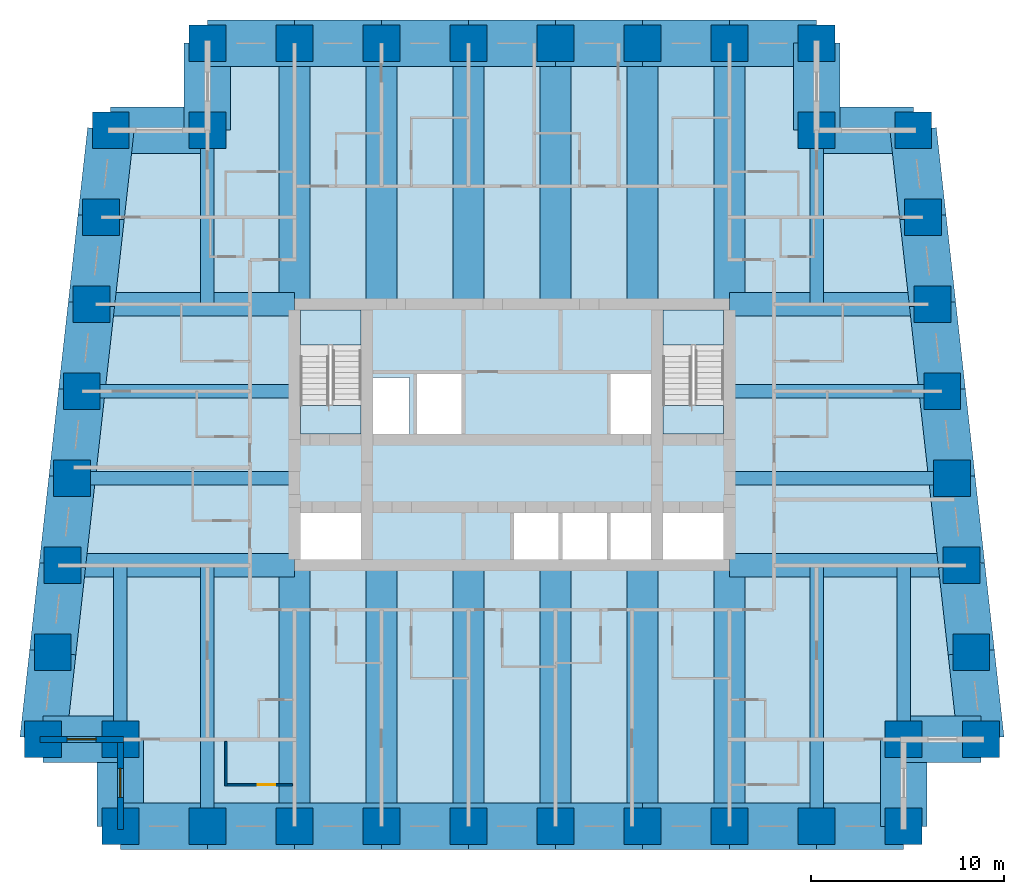
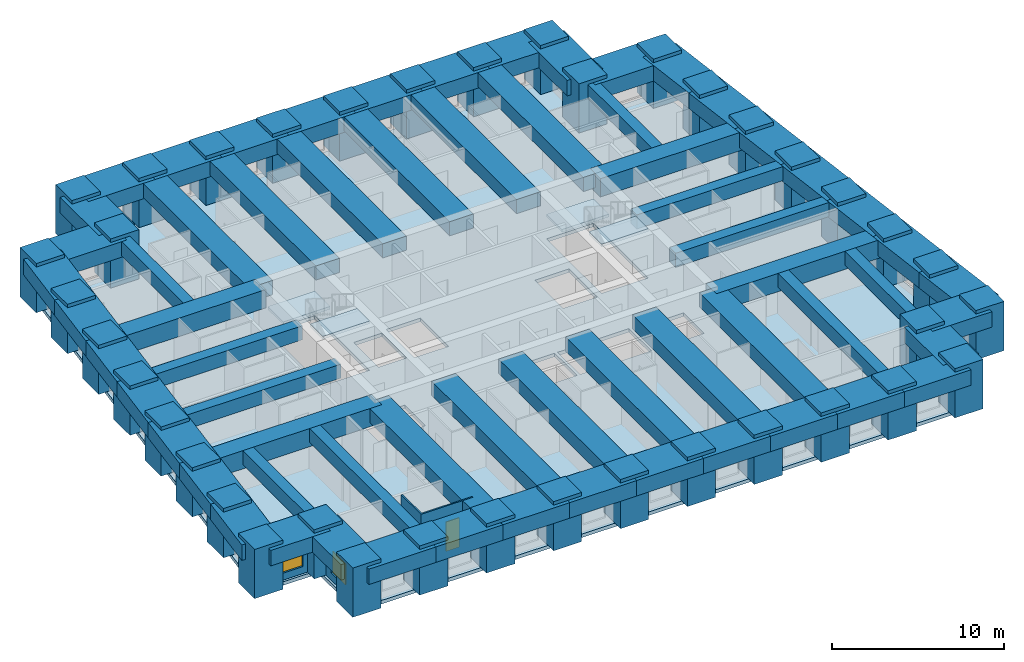
# One storey, part 1 of 8: 64 beams, 38 columns, 5 slabs, 4 walls, 2 windows, 1 door, 3 openings, 2 elements without a shape of their own.
"""IFC4 building model written with IfcOpenShell, lengths in metres."""

from ifc_helpers import new_model, si_unit, direction, frame, frame_2d, origin, origin_2d, place, context, subcontext, project, spatial, polyline, rectangle, outline, extrude, material, layer, layer_set, material_profile, profile_set, type_object, element, fill, aggregate, save


model = new_model("IFC4")

# Units and contexts
model_context = context("Model", 3, precision=1e-05, world=origin(), true_north=direction((0.0, 1.0)))
body_context = subcontext(model_context, "Body", "Model", "MODEL_VIEW")
ifc_project = project(units=[si_unit("LENGTHUNIT", "METRE"), si_unit("AREAUNIT", "SQUARE_METRE"), si_unit("VOLUMEUNIT", "CUBIC_METRE"), si_unit("PLANEANGLEUNIT", "RADIAN"), si_unit("MASSUNIT", "GRAM", prefix="KILO")], contexts=[model_context])

# Site, building, storey
site_placement = place(None, origin())
site = spatial("IfcSite", under=ifc_project, at=site_placement, CompositionType="ELEMENT")
building_placement = place(site_placement, origin())
building = spatial("IfcBuilding", under=site, at=building_placement, Name="Kilele Tower Hotel", CompositionType="ELEMENT")
storey_placement = place(building_placement, frame((0.0, 0.0, 138.89990234375)))
storey = spatial("IfcBuildingStorey", under=building, at=storey_placement, Name="L36", CompositionType="ELEMENT", Elevation=138.89990234375)

# Columns
ifc_material_1 = material(Name="Concrete C70/85", Category="concrete")
ifc_material_profile_1 = material_profile(ifc_material_1, rectangle(XDim=1.89990234375, YDim=1.89990234375, at=origin_2d()))
ifc_profile_set_1 = profile_set([ifc_material_profile_1], Name="Concrete C70/85")
column_type = type_object("IfcColumnType", Name="Tube column RC 1900x1900 C70/85", PredefinedType="COLUMN", material=ifc_profile_set_1)
for number, where, z_axis, x_axis, name in (
    (1, (0.5, 4.5, 0.0), (0.0, 0.0, 1.0), (1.0, 0.0, 0.0), "Column TC2 L36"),
    (2, (4.5, 4.5, 0.0), (0.0, 0.0, 1.0), (1.0, 0.0, 0.0), "Column TC2 L36"),
    (3, (4.5, 0.0, 0.0), (0.0, 0.0, 1.0), (1.0, 0.0, 0.0), "Column TC2 L36"),
    (4, (9.0, 0.0, 0.0), (0.0, 0.0, 1.0), (1.0, 0.0, 0.0), "Column TC2 L36"),
    (5, (13.5, 0.0, 0.0), (0.0, 0.0, 1.0), (1.0, 0.0, 0.0), "Column TC2 L36"),
    (6, (18.0, 0.0, 0.0), (0.0, 0.0, 1.0), (1.0, 0.0, 0.0), "Column TC2 L36"),
    (7, (22.5, 0.0, 0.0), (0.0, 0.0, 1.0), (1.0, 0.0, 0.0), "Column TC2 L36"),
    (8, (27.0, 0.0, 0.0), (0.0, 0.0, 1.0), (1.0, 0.0, 0.0), "Column TC2 L36"),
    (9, (31.5, 0.0, 0.0), (0.0, 0.0, 1.0), (1.0, 0.0, 0.0), "Column TC2 L36"),
    (10, (36.0, 0.0, 0.0), (0.0, 0.0, 1.0), (1.0, 0.0, 0.0), "Column TC2 L36"),
    (11, (40.5, 0.0, 0.0), (0.0, 0.0, 1.0), (1.0, 0.0, 0.0), "Column TC2 L36"),
    (12, (45.0, 0.0, 0.0), (0.0, 0.0, 1.0), (1.0, 0.0, 0.0), "Column TC2 L36"),
    (13, (45.0, 4.5, 0.0), (0.0, 0.0, 1.0), (1.0, 0.0, 0.0), "Column TC2 L36"),
    (14, (49.0, 4.5, 0.0), (0.0, 0.0, 1.0), (1.0, 0.0, 0.0), "Column TC2 L36"),
    (15, (48.5, 9.0, 0.0), (0.0, 0.0, 1.0), (1.0, 0.0, 0.0), "Column TC2 L36"),
    (16, (48.0, 13.5, 0.0), (0.0, 0.0, 1.0), (1.0, 0.0, 0.0), "Column TC2 L36"),
    (17, (47.5, 18.0, 0.0), (0.0, 0.0, 1.0), (1.0, 0.0, 0.0), "Column TC2 L36"),
    (18, (47.0, 22.5, 0.0), (0.0, 0.0, 1.0), (1.0, 0.0, 0.0), "Column TC2 L36"),
    (19, (46.5, 27.0, 0.0), (0.0, 0.0, 1.0), (1.0, 0.0, 0.0), "Column TC2 L36"),
    (20, (46.0, 31.5, 0.0), (0.0, 0.0, 1.0), (1.0, 0.0, 0.0), "Column TC2 L36"),
    (21, (45.5, 36.0, 0.0), (0.0, 0.0, 1.0), (1.0, 0.0, 0.0), "Column TC2 L36"),
    (22, (40.5, 36.0, 0.0), (0.0, 0.0, 1.0), (1.0, 0.0, 0.0), "Column TC2 L36"),
    (23, (40.5, 40.5, 0.0), (0.0, 0.0, 1.0), (1.0, 0.0, 0.0), "Column TC2 L36"),
    (24, (36.0, 40.5, 0.0), (0.0, 0.0, 1.0), (1.0, 0.0, 0.0), "Column TC2 L36"),
    (25, (31.5, 40.5, 0.0), (0.0, 0.0, 1.0), (1.0, 0.0, 0.0), "Column TC2 L36"),
    (26, (27.0, 40.5, 0.0), (0.0, 0.0, 1.0), (1.0, 0.0, 0.0), "Column TC2 L36"),
    (27, (22.5, 40.5, 0.0), (0.0, 0.0, 1.0), (1.0, 0.0, 0.0), "Column TC2 L36"),
    (28, (18.0, 40.5, 0.0), (0.0, 0.0, 1.0), (1.0, 0.0, 0.0), "Column TC2 L36"),
    (29, (13.5, 40.5, 0.0), (0.0, 0.0, 1.0), (1.0, 0.0, 0.0), "Column TC2 L36"),
    (30, (9.0, 40.5, 0.0), (0.0, 0.0, 1.0), (1.0, 0.0, 0.0), "Column TC2 L36"),
    (31, (9.0, 36.0, 0.0), (0.0, 0.0, 1.0), (1.0, 0.0, 0.0), "Column TC2 L36"),
    (32, (4.0, 36.0, 0.0), (0.0, 0.0, 1.0), (1.0, 0.0, 0.0), "Column TC2 L36"),
    (33, (3.5, 31.5, 0.0), (0.0, 0.0, 1.0), (1.0, 0.0, 0.0), "Column TC2 L36"),
    (34, (3.0, 27.0, 0.0), (0.0, 0.0, 1.0), (1.0, 0.0, 0.0), "Column TC2 L36"),
    (35, (2.5, 22.5, 0.0), (0.0, 0.0, 1.0), (1.0, 0.0, 0.0), "Column TC2 L36"),
    (36, (2.0, 18.0, 0.0), (0.0, 0.0, 1.0), (1.0, 0.0, 0.0), "Column TC2 L36"),
    (37, (1.5, 13.5, 0.0), (0.0, 0.0, 1.0), (1.0, 0.0, 0.0), "Column TC2 L36"),
    (38, (1.0, 9.0, 0.0), (0.0, 0.0, 1.0), (1.0, 0.0, 0.0), "Column TC2 L36"),
):
    element("IfcColumn", number, at=place(storey_placement, frame(where, z_axis=z_axis, x_axis=x_axis)), inside=storey, type_object=column_type, Name=name, PredefinedType="COLUMN", context=body_context, shape_type="SweptSolid", body=[
        extrude(rectangle(XDim=1.89990234375, YDim=1.89990234375, at=origin_2d()), origin(), (0.0, 0.0, 1.0), 3.5),
    ])

# Beams
ifc_material_2 = material(Name="Concrete C60/75", Category="concrete")
ifc_material_profile_2 = material_profile(ifc_material_2, rectangle(XDim=1.60009765625, YDim=1.0, at=origin_2d()))
ifc_profile_set_2 = profile_set([ifc_material_profile_2], Name="Concrete C60/75")
beam_type_1 = type_object("IfcBeamType", Name="Beam RC 1600x1000 C60/75", PredefinedType="BEAM", material=ifc_profile_set_2)
for number, where, z_axis, x_axis, name in (
    (39, (13.5, 0.0, 2.75), (0.0, 1.0, 0.0), (-1.0, 0.0, 0.0), "Beam BC1 level L37"),
    (40, (18.0, 0.0, 2.75), (0.0, 1.0, 0.0), (-1.0, 0.0, 0.0), "Beam BC1 level L37"),
    (41, (22.5, 0.0, 2.75), (0.0, 1.0, 0.0), (-1.0, 0.0, 0.0), "Beam BC1 level L37"),
    (42, (27.0, 0.0, 2.75), (0.0, 1.0, 0.0), (-1.0, 0.0, 0.0), "Beam BC1 level L37"),
    (43, (31.5, 0.0, 2.75), (0.0, 1.0, 0.0), (-1.0, 0.0, 0.0), "Beam BC1 level L37"),
    (44, (36.0, 0.0, 2.75), (0.0, 1.0, 0.0), (-1.0, 0.0, 0.0), "Beam BC1 level L37"),
    (45, (36.0, 40.5, 2.75), (0.0, -1.0, 0.0), (1.0, 0.0, 0.0), "Beam BC1 level L37"),
    (46, (31.5, 40.5, 2.75), (0.0, -1.0, 0.0), (1.0, 0.0, 0.0), "Beam BC1 level L37"),
    (47, (27.0, 40.5, 2.75), (0.0, -1.0, 0.0), (1.0, 0.0, 0.0), "Beam BC1 level L37"),
    (48, (22.5, 40.5, 2.75), (0.0, -1.0, 0.0), (1.0, 0.0, 0.0), "Beam BC1 level L37"),
    (49, (18.0, 40.5, 2.75), (0.0, -1.0, 0.0), (1.0, 0.0, 0.0), "Beam BC1 level L37"),
    (50, (13.5, 40.5, 2.75), (0.0, -1.0, 0.0), (1.0, 0.0, 0.0), "Beam BC1 level L37"),
):
    element("IfcBeam", number, at=place(storey_placement, frame(where, z_axis=z_axis, x_axis=x_axis)), inside=storey, type_object=beam_type_1, Name=name, PredefinedType="BEAM", context=body_context, shape_type="SweptSolid", body=[
        extrude(rectangle(XDim=1.60009765625, YDim=1.0, at=origin_2d()), origin(), (0.0, 0.0, 1.0), 13.5),
    ])
ifc_material_3 = material(Name="Concrete C60/75", Category="concrete")
ifc_material_profile_3 = material_profile(ifc_material_3, rectangle(XDim=0.699951171875, YDim=1.0, at=origin_2d()))
ifc_profile_set_3 = profile_set([ifc_material_profile_3], Name="Concrete C60/75")
beam_type_2 = type_object("IfcBeamType", Name="Beam RC 700x1000 C60/75", PredefinedType="BEAM", material=ifc_profile_set_3)
for number, where, z_axis, x_axis, name in (
    (51, (9.0, 0.0, 2.75), (0.0, 1.0, 0.0), (-1.0, 0.0, 0.0), "Beam B4 level L37"),
    (52, (40.5, 0.0, 2.75), (0.0, 1.0, 0.0), (-1.0, 0.0, 0.0), "Beam B4 level L37"),
):
    element("IfcBeam", number, at=place(storey_placement, frame(where, z_axis=z_axis, x_axis=x_axis)), inside=storey, type_object=beam_type_2, Name=name, PredefinedType="BEAM", context=body_context, shape_type="SweptSolid", body=[
        extrude(rectangle(XDim=0.699951171875, YDim=1.0, at=origin_2d()), origin(), (0.0, 0.0, 1.0), 13.5),
    ])
ifc_material_4 = material(Name="Concrete C60/75", Category="concrete")
ifc_material_profile_4 = material_profile(ifc_material_4, rectangle(XDim=0.699951171875, YDim=1.0, at=origin_2d()))
ifc_profile_set_4 = profile_set([ifc_material_profile_4], Name="Concrete C60/75")
beam_type_3 = type_object("IfcBeamType", Name="Beam RC 700x1000 C60/75 mid span", PredefinedType="BEAM", material=ifc_profile_set_4)
for number, where, z_axis, x_axis, name in (
    (53, (4.5, 4.5, 2.75), (0.0, 1.0, 0.0), (-1.0, 0.0, 0.0), "Beam B5 level L37"),
    (54, (45.0, 4.5, 2.75), (0.0, 1.0, 0.0), (-1.0, 0.0, 0.0), "Beam B5 level L37"),
):
    element("IfcBeam", number, at=place(storey_placement, frame(where, z_axis=z_axis, x_axis=x_axis)), inside=storey, type_object=beam_type_3, Name=name, PredefinedType="BEAM", context=body_context, shape_type="SweptSolid", body=[
        extrude(rectangle(XDim=0.699951171875, YDim=1.0, at=origin_2d()), origin(), (0.0, 0.0, 1.0), 9.0),
    ])
beam_1_placement = place(storey_placement, frame((47.5, 18.0, 2.75), z_axis=(-1.0, 0.0, 0.0), x_axis=(0.0, -1.0, 0.0)))
element("IfcBeam", 55, at=beam_1_placement, inside=storey, type_object=beam_type_3, Name="Beam B5 level L37", PredefinedType="BEAM", context=body_context, shape_type="SweptSolid", body=[
    extrude(rectangle(XDim=0.699951171875, YDim=1.0, at=origin_2d()), origin(), (0.0, 0.0, 1.0), 11.5),
])
beam_2_placement = place(storey_placement, frame((47.0, 22.5, 2.75), z_axis=(-1.0, 0.0, 0.0), x_axis=(0.0, -1.0, 0.0)))
element("IfcBeam", 56, at=beam_2_placement, inside=storey, type_object=beam_type_3, Name="Beam B5 level L37", PredefinedType="BEAM", context=body_context, shape_type="SweptSolid", body=[
    extrude(rectangle(XDim=0.699951171875, YDim=1.0, at=origin_2d()), origin(), (0.0, 0.0, 1.0), 11.0),
])
for number, where, z_axis, x_axis, name in (
    (57, (40.5, 36.0, 2.75), (0.0, -1.0, 0.0), (1.0, 0.0, 0.0), "Beam B5 level L37"),
    (58, (9.0, 36.0, 2.75), (0.0, -1.0, 0.0), (1.0, 0.0, 0.0), "Beam B5 level L37"),
):
    element("IfcBeam", number, at=place(storey_placement, frame(where, z_axis=z_axis, x_axis=x_axis)), inside=storey, type_object=beam_type_3, Name=name, PredefinedType="BEAM", context=body_context, shape_type="SweptSolid", body=[
        extrude(rectangle(XDim=0.699951171875, YDim=1.0, at=origin_2d()), origin(), (0.0, 0.0, 1.0), 9.0),
    ])
beam_3_placement = place(storey_placement, frame((2.5, 22.5, 2.75), z_axis=(1.0, 0.0, 0.0), x_axis=(0.0, 1.0, 0.0)))
element("IfcBeam", 59, at=beam_3_placement, inside=storey, type_object=beam_type_3, Name="Beam B5 level L37", PredefinedType="BEAM", context=body_context, shape_type="SweptSolid", body=[
    extrude(rectangle(XDim=0.699951171875, YDim=1.0, at=origin_2d()), origin(), (0.0, 0.0, 1.0), 11.0),
])
beam_4_placement = place(storey_placement, frame((2.0, 18.0, 2.75), z_axis=(1.0, 0.0, 0.0), x_axis=(0.0, 1.0, 0.0)))
element("IfcBeam", 60, at=beam_4_placement, inside=storey, type_object=beam_type_3, Name="Beam B5 level L37", PredefinedType="BEAM", context=body_context, shape_type="SweptSolid", body=[
    extrude(rectangle(XDim=0.699951171875, YDim=1.0, at=origin_2d()), origin(), (0.0, 0.0, 1.0), 11.5),
])
ifc_material_5 = material(Name="Concrete C60/75", Category="concrete")
ifc_material_profile_5 = material_profile(ifc_material_5, rectangle(XDim=1.199951171875, YDim=1.300048828125, at=origin_2d()))
ifc_profile_set_5 = profile_set([ifc_material_profile_5], Name="Concrete C60/75")
beam_type_4 = type_object("IfcBeamType", Name="Girder RC 1200x1300 C60/75", PredefinedType="BEAM", material=ifc_profile_set_5)
for number, where, z_axis, x_axis, name in (
    (61, (48.0, 13.5, 2.60009765625), (-1.0, 0.0, 0.0), (0.0, -1.0, 0.0), "Girder G1 level L37"),
    (62, (1.5, 13.5, 2.60009765625), (1.0, 0.0, 0.0), (0.0, 1.0, 0.0), "Girder G1 level L37"),
):
    element("IfcBeam", number, at=place(storey_placement, frame(where, z_axis=z_axis, x_axis=x_axis)), inside=storey, type_object=beam_type_4, Name=name, PredefinedType="BEAM", context=body_context, shape_type="SweptSolid", body=[
        extrude(rectangle(XDim=1.199951171875, YDim=1.300048828125, at=origin_2d()), origin(), (0.0, 0.0, 1.0), 12.0),
    ])
ifc_material_6 = material(Name="Concrete C60/75", Category="concrete")
ifc_material_profile_6 = material_profile(ifc_material_6, rectangle(XDim=1.199951171875, YDim=1.300048828125, at=origin_2d()))
ifc_profile_set_6 = profile_set([ifc_material_profile_6], Name="Concrete C60/75")
beam_type_5 = type_object("IfcBeamType", Name="Girder RC 1200x1300 C60/75 mid span", PredefinedType="BEAM", material=ifc_profile_set_6)
for number, where, z_axis, x_axis, name in (
    (63, (46.5, 27.0, 2.60009765625), (-1.0, 0.0, 0.0), (0.0, -1.0, 0.0), "Girder G3 level L37"),
    (64, (3.0, 27.0, 2.60009765625), (1.0, 0.0, 0.0), (0.0, 1.0, 0.0), "Girder G3 level L37"),
):
    element("IfcBeam", number, at=place(storey_placement, frame(where, z_axis=z_axis, x_axis=x_axis)), inside=storey, type_object=beam_type_5, Name=name, PredefinedType="BEAM", context=body_context, shape_type="SweptSolid", body=[
        extrude(rectangle(XDim=1.199951171875, YDim=1.300048828125, at=origin_2d()), origin(), (0.0, 0.0, 1.0), 10.5),
    ])
ifc_material_7 = material(Name="Concrete C60/75", Category="concrete")
ifc_material_profile_7 = material_profile(ifc_material_7, rectangle(XDim=2.39990234375, YDim=1.10009765625, at=origin_2d()))
ifc_profile_set_7 = profile_set([ifc_material_profile_7], Name="Concrete C60/75")
beam_type_6 = type_object("IfcBeamType", Name="Spandrel RC 2400x1100 C60/75", PredefinedType="SPANDREL", material=ifc_profile_set_7)
beam_5_placement = place(storey_placement, frame((0.5, 4.5, 2.7001953125), z_axis=(1.0, 0.0, 0.0), x_axis=(0.0, 1.0, 0.0)))
element("IfcBeam", 65, at=beam_5_placement, inside=storey, type_object=beam_type_6, Name="Spandrel SP7 level L37", PredefinedType="SPANDREL", context=body_context, shape_type="SweptSolid", body=[
    extrude(rectangle(XDim=2.39990234375, YDim=1.10009765625, at=origin_2d()), origin(), (0.0, 0.0, 1.0), 4.0),
])
for number, where, z_axis, x_axis, name in (
    (66, (4.5, 4.5, 2.7001953125), (0.0, -1.0, 0.0), (1.0, 0.0, 0.0), "Spandrel SP7 level L37"),
    (67, (4.5, 0.0, 2.7001953125), (1.0, 0.0, 0.0), (0.0, 1.0, 0.0), "Spandrel SP7 level L37"),
    (68, (9.0, 0.0, 2.7001953125), (1.0, 0.0, 0.0), (0.0, 1.0, 0.0), "Spandrel SP7 level L37"),
    (69, (13.5, 0.0, 2.7001953125), (1.0, 0.0, 0.0), (0.0, 1.0, 0.0), "Spandrel SP7 level L37"),
    (70, (18.0, 0.0, 2.7001953125), (1.0, 0.0, 0.0), (0.0, 1.0, 0.0), "Spandrel SP7 level L37"),
    (71, (22.5, 0.0, 2.7001953125), (1.0, 0.0, 0.0), (0.0, 1.0, 0.0), "Spandrel SP7 level L37"),
    (72, (27.0, 0.0, 2.7001953125), (1.0, 0.0, 0.0), (0.0, 1.0, 0.0), "Spandrel SP7 level L37"),
    (73, (31.5, 0.0, 2.7001953125), (1.0, 0.0, 0.0), (0.0, 1.0, 0.0), "Spandrel SP7 level L37"),
    (74, (36.0, 0.0, 2.7001953125), (1.0, 0.0, 0.0), (0.0, 1.0, 0.0), "Spandrel SP7 level L37"),
    (75, (40.5, 0.0, 2.7001953125), (1.0, 0.0, 0.0), (0.0, 1.0, 0.0), "Spandrel SP7 level L37"),
    (76, (45.0, 0.0, 2.7001953125), (0.0, 1.0, 0.0), (-1.0, 0.0, 0.0), "Spandrel SP7 level L37"),
):
    element("IfcBeam", number, at=place(storey_placement, frame(where, z_axis=z_axis, x_axis=x_axis)), inside=storey, type_object=beam_type_6, Name=name, PredefinedType="SPANDREL", context=body_context, shape_type="SweptSolid", body=[
        extrude(rectangle(XDim=2.39990234375, YDim=1.10009765625, at=origin_2d()), origin(), (0.0, 0.0, 1.0), 4.5),
    ])
beam_6_placement = place(storey_placement, frame((45.0, 4.5, 2.7001953125), z_axis=(1.0, 0.0, 0.0), x_axis=(0.0, 1.0, 0.0)))
element("IfcBeam", 77, at=beam_6_placement, inside=storey, type_object=beam_type_6, Name="Spandrel SP7 level L37", PredefinedType="SPANDREL", context=body_context, shape_type="SweptSolid", body=[
    extrude(rectangle(XDim=2.39990234375, YDim=1.10009765625, at=origin_2d()), origin(), (0.0, 0.0, 1.0), 4.0),
])
for number, where, z_axis, x_axis, name in (
    (78, (49.0, 4.5, 2.7001953125), (-0.110431526075, 0.993883734674, 0.0), (-0.993883734674, -0.110431526075, 0.0), "Spandrel SP7 level L37"),
    (79, (48.5, 9.0, 2.7001953125), (-0.110431526075, 0.993883734674, 0.0), (-0.993883734674, -0.110431526075, 0.0), "Spandrel SP7 level L37"),
    (80, (48.0, 13.5, 2.7001953125), (-0.110431526075, 0.993883734674, 0.0), (-0.993883734674, -0.110431526075, 0.0), "Spandrel SP7 level L37"),
    (81, (47.5, 18.0, 2.7001953125), (-0.110431526075, 0.993883734674, 0.0), (-0.993883734674, -0.110431526075, 0.0), "Spandrel SP7 level L37"),
    (82, (47.0, 22.5, 2.7001953125), (-0.110431526075, 0.993883734674, 0.0), (-0.993883734674, -0.110431526075, 0.0), "Spandrel SP7 level L37"),
    (83, (46.5, 27.0, 2.7001953125), (-0.110431526075, 0.993883734674, 0.0), (-0.993883734674, -0.110431526075, 0.0), "Spandrel SP7 level L37"),
    (84, (46.0, 31.5, 2.7001953125), (-0.110431526075, 0.993883734674, 0.0), (-0.993883734674, -0.110431526075, 0.0), "Spandrel SP7 level L37"),
):
    element("IfcBeam", number, at=place(storey_placement, frame(where, z_axis=z_axis, x_axis=x_axis)), inside=storey, type_object=beam_type_6, Name=name, PredefinedType="SPANDREL", context=body_context, shape_type="SweptSolid", body=[
        extrude(rectangle(XDim=2.39990234375, YDim=1.10009765625, at=origin_2d()), origin(), (0.0, 0.0, 1.0), 4.527587890625),
    ])
beam_7_placement = place(storey_placement, frame((45.5, 36.0, 2.7001953125), z_axis=(-1.0, 0.0, 0.0), x_axis=(0.0, -1.0, 0.0)))
element("IfcBeam", 85, at=beam_7_placement, inside=storey, type_object=beam_type_6, Name="Spandrel SP7 level L37", PredefinedType="SPANDREL", context=body_context, shape_type="SweptSolid", body=[
    extrude(rectangle(XDim=2.39990234375, YDim=1.10009765625, at=origin_2d()), origin(), (0.0, 0.0, 1.0), 5.0),
])
for number, where, z_axis, x_axis, name in (
    (86, (40.5, 36.0, 2.7001953125), (0.0, 1.0, 0.0), (-1.0, 0.0, 0.0), "Spandrel SP7 level L37"),
    (87, (40.5, 40.5, 2.7001953125), (-1.0, 0.0, 0.0), (0.0, -1.0, 0.0), "Spandrel SP7 level L37"),
    (88, (36.0, 40.5, 2.7001953125), (-1.0, 0.0, 0.0), (0.0, -1.0, 0.0), "Spandrel SP7 level L37"),
    (89, (31.5, 40.5, 2.7001953125), (-1.0, 0.0, 0.0), (0.0, -1.0, 0.0), "Spandrel SP7 level L37"),
    (90, (27.0, 40.5, 2.7001953125), (-1.0, 0.0, 0.0), (0.0, -1.0, 0.0), "Spandrel SP7 level L37"),
    (91, (22.5, 40.5, 2.7001953125), (-1.0, 0.0, 0.0), (0.0, -1.0, 0.0), "Spandrel SP7 level L37"),
    (92, (18.0, 40.5, 2.7001953125), (-1.0, 0.0, 0.0), (0.0, -1.0, 0.0), "Spandrel SP7 level L37"),
    (93, (13.5, 40.5, 2.7001953125), (-1.0, 0.0, 0.0), (0.0, -1.0, 0.0), "Spandrel SP7 level L37"),
    (94, (9.0, 40.5, 2.7001953125), (0.0, -1.0, 0.0), (1.0, 0.0, 0.0), "Spandrel SP7 level L37"),
):
    element("IfcBeam", number, at=place(storey_placement, frame(where, z_axis=z_axis, x_axis=x_axis)), inside=storey, type_object=beam_type_6, Name=name, PredefinedType="SPANDREL", context=body_context, shape_type="SweptSolid", body=[
        extrude(rectangle(XDim=2.39990234375, YDim=1.10009765625, at=origin_2d()), origin(), (0.0, 0.0, 1.0), 4.5),
    ])
beam_8_placement = place(storey_placement, frame((9.0, 36.0, 2.7001953125), z_axis=(-1.0, 0.0, 0.0), x_axis=(0.0, -1.0, 0.0)))
element("IfcBeam", 95, at=beam_8_placement, inside=storey, type_object=beam_type_6, Name="Spandrel SP7 level L37", PredefinedType="SPANDREL", context=body_context, shape_type="SweptSolid", body=[
    extrude(rectangle(XDim=2.39990234375, YDim=1.10009765625, at=origin_2d()), origin(), (0.0, 0.0, 1.0), 5.0),
])
for number, where, z_axis, x_axis, name in (
    (96, (4.0, 36.0, 2.7001953125), (-0.110431526075, -0.993883734674, 0.0), (0.993883734674, -0.110431526075, 0.0), "Spandrel SP7 level L37"),
    (97, (3.5, 31.5, 2.7001953125), (-0.110431526075, -0.993883734674, 0.0), (0.993883734674, -0.110431526075, 0.0), "Spandrel SP7 level L37"),
    (98, (3.0, 27.0, 2.7001953125), (-0.110431526075, -0.993883734674, 0.0), (0.993883734674, -0.110431526075, 0.0), "Spandrel SP7 level L37"),
    (99, (2.5, 22.5, 2.7001953125), (-0.110431526075, -0.993883734674, 0.0), (0.993883734674, -0.110431526075, 0.0), "Spandrel SP7 level L37"),
    (100, (2.0, 18.0, 2.7001953125), (-0.110431526075, -0.993883734674, 0.0), (0.993883734674, -0.110431526075, 0.0), "Spandrel SP7 level L37"),
    (101, (1.5, 13.5, 2.7001953125), (-0.110431526075, -0.993883734674, 0.0), (0.993883734674, -0.110431526075, 0.0), "Spandrel SP7 level L37"),
    (102, (1.0, 9.0, 2.7001953125), (-0.110431526075, -0.993883734674, 0.0), (0.993883734674, -0.110431526075, 0.0), "Spandrel SP7 level L37"),
):
    element("IfcBeam", number, at=place(storey_placement, frame(where, z_axis=z_axis, x_axis=x_axis)), inside=storey, type_object=beam_type_6, Name=name, PredefinedType="SPANDREL", context=body_context, shape_type="SweptSolid", body=[
        extrude(rectangle(XDim=2.39990234375, YDim=1.10009765625, at=origin_2d()), origin(), (0.0, 0.0, 1.0), 4.527587890625),
    ])

# Slab
ifc_material_8 = material(Name="Concrete C60/75", Category="concrete")
ifc_layer_1 = layer(ifc_material_8, 0.25)
ifc_layer_set_1 = layer_set([ifc_layer_1], Name="Concrete C60/75")
slab_type_1 = type_object("IfcSlabType", Name="Floor slab 250", PredefinedType="FLOOR", material=ifc_layer_set_1)
slab_1_placement = place(storey_placement, frame((0.0, 0.0, -0.25)))
element("IfcSlab", 103, at=slab_1_placement, inside=storey, type_object=slab_type_1, Name="Floor slab L36", PredefinedType="FLOOR", context=body_context, shape_type="SweptSolid", body=[
    extrude(outline(polyline([(8.699951171875, 36.300048828125), (8.699951171875, 40.800048828125), (40.800048828125, 40.800048828125), (40.800048828125, 36.300048828125), (45.7685546875, 36.300048828125), (49.335205078125, 4.199951171875), (45.300048828125, 4.199951171875), (45.300048828125, -0.300048828125), (4.199951171875, -0.300048828125), (4.199951171875, 4.199951171875), (0.164794921875, 4.199951171875), (3.7314453125, 36.300048828125), (8.699951171875, 36.300048828125)]), holes=[polyline([(16.949951171875, 16.199951171875), (13.800048828125, 16.199951171875), (13.800048828125, 13.800048828125), (16.949951171875, 13.800048828125), (16.949951171875, 16.199951171875)]), polyline([(35.699951171875, 16.199951171875), (32.550048828125, 16.199951171875), (32.550048828125, 13.800048828125), (35.699951171875, 13.800048828125), (35.699951171875, 16.199951171875)]), polyline([(27.14990234375, 16.39990234375), (24.85009765625, 16.39990234375), (24.85009765625, 13.800048828125), (27.14990234375, 13.800048828125), (27.14990234375, 16.39990234375)]), polyline([(29.64990234375, 13.800048828125), (29.64990234375, 16.39990234375), (27.35009765625, 16.39990234375), (27.35009765625, 13.800048828125), (29.64990234375, 13.800048828125)]), polyline([(32.14990234375, 13.800048828125), (32.14990234375, 16.39990234375), (29.85009765625, 16.39990234375), (29.85009765625, 13.800048828125), (32.14990234375, 13.800048828125)]), polyline([(19.449951171875, 23.199951171875), (17.550048828125, 23.199951171875), (17.550048828125, 20.300048828125), (19.449951171875, 20.300048828125), (19.449951171875, 23.199951171875)]), polyline([(22.14990234375, 23.39990234375), (19.85009765625, 23.39990234375), (19.85009765625, 20.10009765625), (22.14990234375, 20.10009765625), (22.14990234375, 23.39990234375)]), polyline([(32.14990234375, 23.39990234375), (29.85009765625, 23.39990234375), (29.85009765625, 20.10009765625), (32.14990234375, 20.10009765625), (32.14990234375, 23.39990234375)]), polyline([(16.949951171875, 20.300048828125), (16.949951171875, 26.699951171875), (13.800048828125, 26.699951171875), (13.800048828125, 20.300048828125), (16.949951171875, 20.300048828125)]), polyline([(35.699951171875, 20.300048828125), (35.699951171875, 26.699951171875), (32.550048828125, 26.699951171875), (32.550048828125, 20.300048828125), (35.699951171875, 20.300048828125)])]), origin(), (0.0, 0.0, 1.0), 0.25),
])

# Stair, slabs
ifc_material_9 = material(Name="Precast concrete C40/50", Category="concrete")
stair_type = type_object("IfcStairType", Name="Stair 1475 x 3500", PredefinedType="HALF_TURN_STAIR", material=ifc_material_9)
stair_1_placement = place(storey_placement, origin())
stair_1 = element("IfcStair", 104, at=stair_1_placement, inside=storey, type_object=stair_type, Name="Stair 1 L36", PredefinedType="HALF_TURN_STAIR")
ifc_material_10 = material(Name="Precast concrete C40/50", Category="concrete")
ifc_layer_2 = layer(ifc_material_10, 0.199951171875)
ifc_layer_set_2 = layer_set([ifc_layer_2], Name="Precast concrete C40/50")
slab_type_2 = type_object("IfcSlabType", Name="Stair landing 200", PredefinedType="LANDING", material=ifc_layer_set_2)
slab_2_placement = place(storey_placement, frame((0.0, 0.0, 1.550048828125)))
slab_2 = element("IfcSlab", 105, at=slab_2_placement, type_object=slab_type_2, Name="ST1 landing 1", PredefinedType="LANDING", context=body_context, shape_type="SweptSolid", body=[
    extrude(outline(polyline([(13.800048828125, 24.89501953125), (16.949951171875, 24.89501953125), (16.949951171875, 26.699951171875), (13.800048828125, 26.699951171875), (13.800048828125, 24.89501953125)])), origin(), (0.0, 0.0, 1.0), 0.199951171875),
])
slab_3_placement = place(storey_placement, frame((0.0, 0.0, 3.300048828125)))
slab_3 = element("IfcSlab", 106, at=slab_3_placement, type_object=slab_type_2, Name="ST1 landing 2", PredefinedType="LANDING", context=body_context, shape_type="SweptSolid", body=[
    extrude(outline(polyline([(13.800048828125, 20.300048828125), (16.949951171875, 20.300048828125), (16.949951171875, 21.77490234375), (13.800048828125, 21.77490234375), (13.800048828125, 20.300048828125)])), origin(), (0.0, 0.0, 1.0), 0.199951171875),
])
aggregate(stair_1, [slab_2, slab_3])

stair_2_placement = place(storey_placement, origin())
stair_2 = element("IfcStair", 107, at=stair_2_placement, inside=storey, type_object=stair_type, Name="Stair 2 L36", PredefinedType="HALF_TURN_STAIR")
slab_4_placement = place(storey_placement, frame((0.0, 0.0, 1.550048828125)))
slab_4 = element("IfcSlab", 108, at=slab_4_placement, type_object=slab_type_2, Name="ST2 landing 1", PredefinedType="LANDING", context=body_context, shape_type="SweptSolid", body=[
    extrude(outline(polyline([(32.550048828125, 24.89501953125), (35.699951171875, 24.89501953125), (35.699951171875, 26.699951171875), (32.550048828125, 26.699951171875), (32.550048828125, 24.89501953125)])), origin(), (0.0, 0.0, 1.0), 0.199951171875),
])
slab_5_placement = place(storey_placement, frame((0.0, 0.0, 3.300048828125)))
slab_5 = element("IfcSlab", 109, at=slab_5_placement, type_object=slab_type_2, Name="ST2 landing 2", PredefinedType="LANDING", context=body_context, shape_type="SweptSolid", body=[
    extrude(outline(polyline([(32.550048828125, 20.300048828125), (35.699951171875, 20.300048828125), (35.699951171875, 21.77490234375), (32.550048828125, 21.77490234375), (32.550048828125, 20.300048828125)])), origin(), (0.0, 0.0, 1.0), 0.199951171875),
])
aggregate(stair_2, [slab_4, slab_5])

# Wall
ifc_material_11 = material(Name="Moisture-resistant board")
ifc_layer_3 = layer(ifc_material_11, 0.10009765625)
ifc_layer_set_3 = layer_set([ifc_layer_3], Name="Moisture-resistant board")
wall_type_1 = type_object("IfcWallType", Name="Bathroom partition 100", PredefinedType="PLUMBINGWALL", material=ifc_layer_set_3)
wall_1_placement = place(storey_placement, frame((9.949951171875, 4.39990234375, 0.0), z_axis=(0.0, 0.0, 1.0), x_axis=(0.0, -1.0, 0.0)))
element("IfcWall", 110, at=wall_1_placement, inside=storey, type_object=wall_type_1, Name="Bathroom partition 100 L36", PredefinedType="PLUMBINGWALL", context=body_context, shape_type="SweptSolid", body=[
    extrude(rectangle(XDim=2.2998046875, YDim=0.10009765625, at=frame_2d((1.14990234375, 0.0))), origin(), (0.0, 0.0, 1.0), 3.25),
])

# Wall, opening, door
wall_2_placement = place(storey_placement, frame((13.39990234375, 2.14990234375, 0.0), z_axis=(0.0, 0.0, 1.0), x_axis=(-1.0, 0.0, 0.0)))
wall_2 = element("IfcWall", 111, at=wall_2_placement, inside=storey, type_object=wall_type_1, Name="Bathroom partition 100 L36", PredefinedType="PLUMBINGWALL", context=body_context, shape_type="SweptSolid", body=[
    extrude(rectangle(XDim=3.5, YDim=0.10009765625, at=frame_2d((1.75, 0.0))), origin(), (0.0, 0.0, 1.0), 3.25),
])
opening_1_placement = place(wall_2_placement, frame((0.89990234375, 0.0, 0.0)))
opening_1 = element("IfcOpeningElement", 112, at=opening_1_placement, cuts=wall_2, Name="Opening D2A", PredefinedType="OPENING", context=body_context, shape_type="SweptSolid", body=[
    extrude(rectangle(XDim=0.89990234375, YDim=2.10009765625, at=frame_2d((0.449951171875, 1.050048828125))), frame((0.0, 0.06005859375, 0.0), z_axis=(0.0, -1.0, 0.0), x_axis=(1.0, 0.0, 0.0)), (0.0, 0.0, 1.0), 0.1201171875),
])
ifc_material_12 = material(Name="Timber door leaf in hardwood frame", Category="wood")
door_type = type_object("IfcDoorType", Name="Bathroom door 900", OperationType="SINGLE_SWING_LEFT", PredefinedType="DOOR", material=ifc_material_12)
door_placement = place(opening_1_placement, origin())
door = element("IfcDoor", 113, at=door_placement, inside=storey, type_object=door_type, Name="Bathroom door 3619B", OperationType="SINGLE_SWING_LEFT", OverallHeight=2.10009765625, OverallWidth=0.89990234375, PredefinedType="DOOR", context=body_context, shape_type="SweptSolid", body=[
    extrude(rectangle(XDim=0.89990234375, YDim=2.10009765625, at=frame_2d((0.449951171875, 1.050048828125))), frame((0.0, 0.02490234375, 0.0), z_axis=(0.0, -1.0, 0.0), x_axis=(1.0, 0.0, 0.0)), (0.0, 0.0, 1.0), 0.050048828125),
])
fill(opening_1, door)

# Wall, opening, window
ifc_material_13 = material(Name="Concrete C40/50 precast", Category="concrete")
ifc_layer_4 = layer(ifc_material_13, 0.260009765625, Name="Precast backing", Category="LoadBearing")
ifc_material_14 = material(Name="Reconstituted stone finish", Category="masonry")
ifc_layer_5 = layer(ifc_material_14, 0.0400390625, Name="Face mix", Category="Finish")
ifc_layer_set_4 = layer_set([ifc_layer_4, ifc_layer_5], Name="Precast concrete C40/50, reconstituted stone finish")
wall_type_2 = type_object("IfcWallType", Name="Precast stone facade wall 300", PredefinedType="STANDARD", material=ifc_layer_set_4)
wall_3_placement = place(storey_placement, frame((0.35009765625, 4.5, 0.0), z_axis=(0.0, 0.0, 1.0), x_axis=(1.0, 0.0, 0.0)))
wall_3 = element("IfcWall", 114, at=wall_3_placement, inside=storey, type_object=wall_type_2, Name="Facade wall L36 edge 1", PredefinedType="STANDARD", context=body_context, shape_type="SweptSolid", body=[
    extrude(rectangle(XDim=4.2998046875, YDim=0.300048828125, at=frame_2d((2.14990234375, 0.0))), origin(), (0.0, 0.0, 1.0), 2.150146484375),
])
opening_2_placement = place(wall_3_placement, frame((1.39990234375, 0.0, 0.5)))
opening_2 = element("IfcOpeningElement", 115, at=opening_2_placement, cuts=wall_3, Name="Opening W2", PredefinedType="OPENING", context=body_context, shape_type="SweptSolid", body=[
    extrude(rectangle(XDim=1.5, YDim=1.5, at=frame_2d((0.75, 0.75))), frame((0.0, 0.159912109375, 0.0), z_axis=(0.0, -1.0, 0.0), x_axis=(1.0, 0.0, 0.0)), (0.0, 0.0, 1.0), 0.320068359375),
])
ifc_material_15 = material(Name="Aluminium frame, clear double glazing", Category="aluminium")
window_type = type_object("IfcWindowType", Name="Window W2 1500 x 1500", PartitioningType="SINGLE_PANEL", PredefinedType="WINDOW", material=ifc_material_15)
window_1_placement = place(opening_2_placement, origin())
window_1 = element("IfcWindow", 116, at=window_1_placement, inside=storey, type_object=window_type, Name="Window L36", OverallHeight=1.5, OverallWidth=1.5, PartitioningType="SINGLE_PANEL", PredefinedType="WINDOW", context=body_context, shape_type="SweptSolid", body=[
    extrude(rectangle(XDim=1.5, YDim=1.5, at=frame_2d((0.75, 0.75))), frame((0.0, 0.030029296875, 0.0), z_axis=(0.0, -1.0, 0.0), x_axis=(1.0, 0.0, 0.0)), (0.0, 0.0, 1.0), 0.06005859375),
])
fill(opening_2, window_1)

wall_4_placement = place(storey_placement, frame((4.5, 4.64990234375, 0.0), z_axis=(0.0, 0.0, 1.0), x_axis=(0.0, -1.0, 0.0)))
wall_4 = element("IfcWall", 117, at=wall_4_placement, inside=storey, type_object=wall_type_2, Name="Facade wall L36 edge 2", PredefinedType="STANDARD", context=body_context, shape_type="SweptSolid", body=[
    extrude(rectangle(XDim=4.7998046875, YDim=0.300048828125, at=frame_2d((2.39990234375, 0.0))), origin(), (0.0, 0.0, 1.0), 2.150146484375),
])
opening_3_placement = place(wall_4_placement, frame((1.64990234375, 0.0, 0.5)))
opening_3 = element("IfcOpeningElement", 118, at=opening_3_placement, cuts=wall_4, Name="Opening W2", PredefinedType="OPENING", context=body_context, shape_type="SweptSolid", body=[
    extrude(rectangle(XDim=1.5, YDim=1.5, at=frame_2d((0.75, 0.75))), frame((0.0, 0.159912109375, 0.0), z_axis=(0.0, -1.0, 0.0), x_axis=(1.0, 0.0, 0.0)), (0.0, 0.0, 1.0), 0.320068359375),
])
window_2_placement = place(opening_3_placement, origin())
window_2 = element("IfcWindow", 119, at=window_2_placement, inside=storey, type_object=window_type, Name="Window L36", OverallHeight=1.5, OverallWidth=1.5, PartitioningType="SINGLE_PANEL", PredefinedType="WINDOW", context=body_context, shape_type="SweptSolid", body=[
    extrude(rectangle(XDim=1.5, YDim=1.5, at=frame_2d((0.75, 0.75))), frame((0.0, 0.030029296875, 0.0), z_axis=(0.0, -1.0, 0.0), x_axis=(1.0, 0.0, 0.0)), (0.0, 0.0, 1.0), 0.06005859375),
])
fill(opening_3, window_2)

save(model, "model.ifc")
